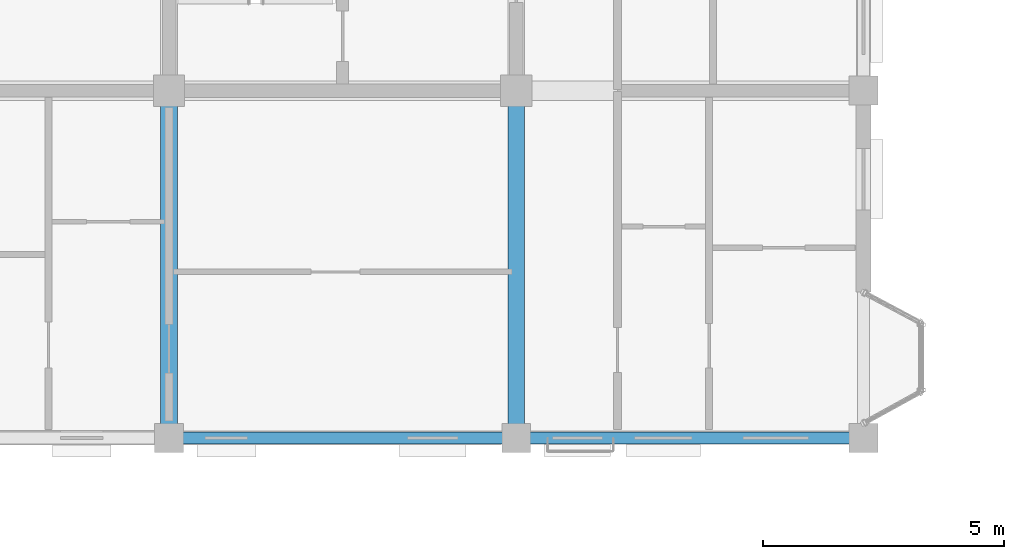
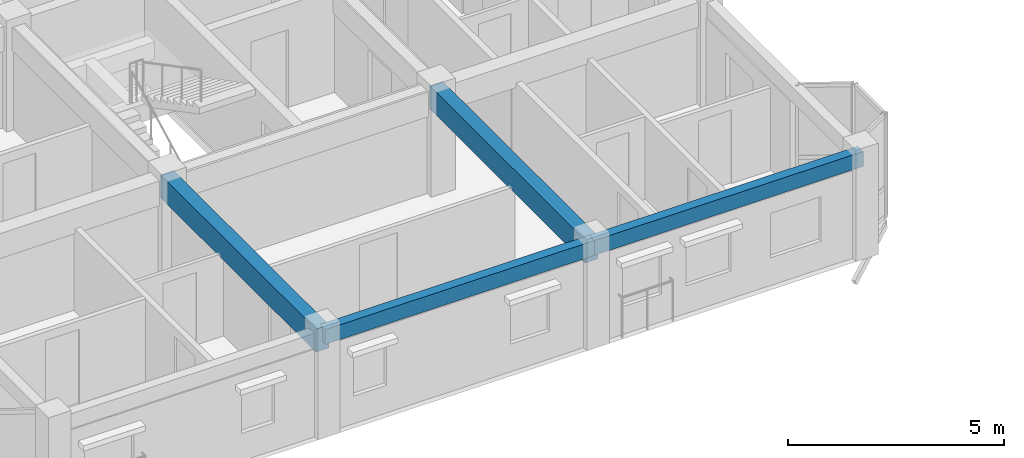
# One storey, part 18 of 124: 4 beams.
"""IFC4 building model written with IfcOpenShell, lengths in metres."""

from ifc_helpers import new_model, si_unit, direction, frame, origin, origin_2d, place, context, subcontext, project, spatial, rectangle, extrude, material, material_profile, profile_set, type_object, element, save


model = new_model("IFC4")

# Units and contexts
model_context = context("Model", 3, precision=1e-05, world=origin(), true_north=direction((0.0, 1.0)))
body_context = subcontext(model_context, "Body", "Model", "MODEL_VIEW")
ifc_project = project(units=[si_unit("LENGTHUNIT", "METRE"), si_unit("AREAUNIT", "SQUARE_METRE"), si_unit("VOLUMEUNIT", "CUBIC_METRE"), si_unit("PLANEANGLEUNIT", "RADIAN"), si_unit("MASSUNIT", "GRAM", prefix="KILO"), si_unit("THERMODYNAMICTEMPERATUREUNIT", "KELVIN"), si_unit("POWERUNIT", "WATT")], contexts=[model_context])

# Site, building, storey
site_placement = place(None, origin())
site = spatial("IfcSite", under=ifc_project, at=site_placement, CompositionType="ELEMENT")
building_placement = place(site_placement, origin())
building = spatial("IfcBuilding", under=site, at=building_placement, Name="Tavuni Mirador Residences", CompositionType="ELEMENT")
storey_placement = place(building_placement, frame((0.0, 0.0, 7.64990234375)))
storey = spatial("IfcBuildingStorey", under=building, at=storey_placement, Name="L02", CompositionType="ELEMENT", Elevation=7.64990234375)

# Beams
ifc_material = material(Name="Precast concrete C40/50", Category="concrete")
ifc_material_profile_1 = material_profile(ifc_material, rectangle(XDim=0.35009765625, YDim=0.64990234375, at=origin_2d()), Name="PC 350x650", Category="concrete")
ifc_profile_set_1 = profile_set([ifc_material_profile_1], Name="Precast concrete C40/50")
beam_type_1 = type_object("IfcBeamType", Name="BT-B650", PredefinedType="BEAM", material=ifc_profile_set_1)
for number, where, z_axis, x_axis, name in (
    (1, (10.800048828125, 64.800048828125, 2.585205078125), (0.0, 1.0, 0.0), (-1.0, 0.0, 0.0), "BMY-BLK-B-L02-01-00"),
    (2, (18.0, 64.800048828125, 2.585205078125), (0.0, 1.0, 0.0), (-1.0, 0.0, 0.0), "BMY-BLK-B-L02-02-00"),
):
    element("IfcBeam", number, at=place(storey_placement, frame(where, z_axis=z_axis, x_axis=x_axis)), inside=storey, type_object=beam_type_1, Name=name, PredefinedType="BEAM", context=body_context, shape_type="SweptSolid", body=[
        extrude(rectangle(XDim=0.35009765625, YDim=0.64990234375, at=origin_2d()), origin(), (0.0, 0.0, 1.0), 7.199951171875),
    ])
ifc_material_profile_2 = material_profile(ifc_material, rectangle(XDim=0.25, YDim=0.419921875, at=origin_2d()), Name="PC 250x420", Category="concrete")
ifc_profile_set_2 = profile_set([ifc_material_profile_2], Name="Precast concrete C40/50")
beam_type_2 = type_object("IfcBeamType", Name="BT-SP420", PredefinedType="SPANDREL", material=ifc_profile_set_2)
for number, where, z_axis, x_axis, name in (
    (3, (10.800048828125, 64.800048828125, 2.7001953125), (1.0, 0.0, 0.0), (0.0, 1.0, 0.0), "BMX-BLK-B-L02-01-00"),
    (4, (18.0, 64.800048828125, 2.7001953125), (1.0, 0.0, 0.0), (0.0, 1.0, 0.0), "BMX-BLK-B-L02-02-00"),
):
    element("IfcBeam", number, at=place(storey_placement, frame(where, z_axis=z_axis, x_axis=x_axis)), inside=storey, type_object=beam_type_2, Name=name, PredefinedType="SPANDREL", context=body_context, shape_type="SweptSolid", body=[
        extrude(rectangle(XDim=0.25, YDim=0.419921875, at=origin_2d()), origin(), (0.0, 0.0, 1.0), 7.199951171875),
    ])

save(model, "model.ifc")
